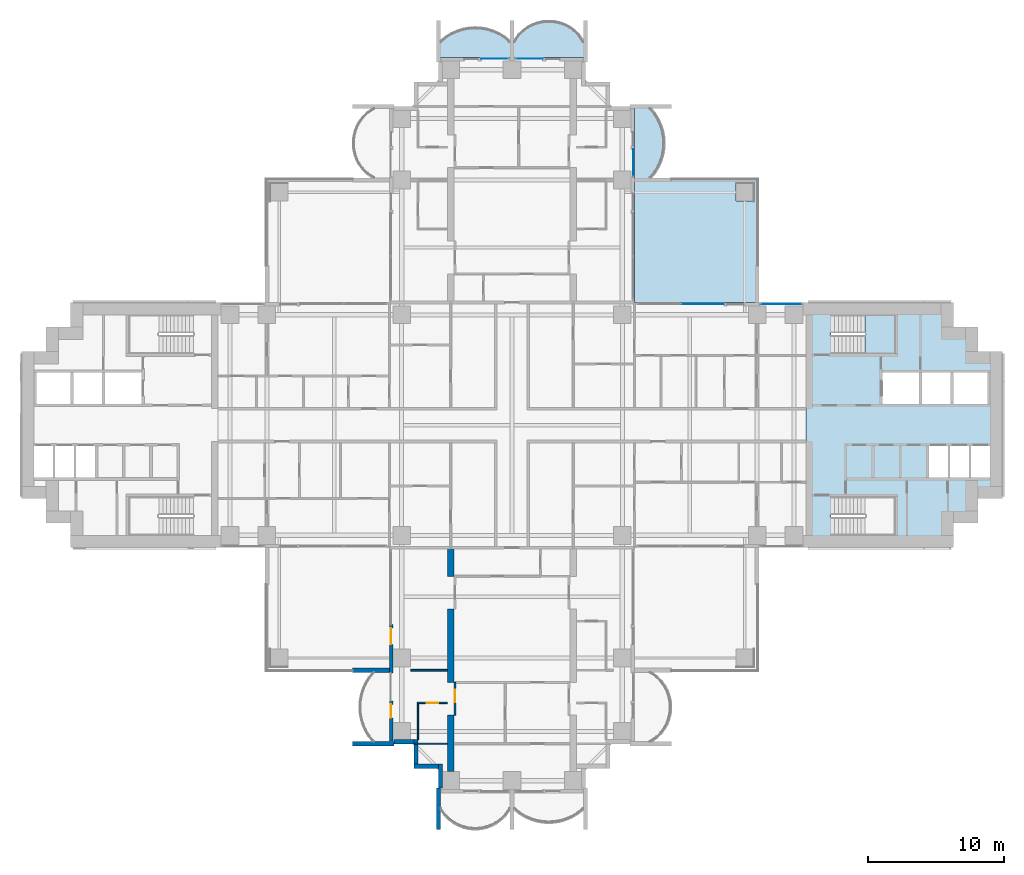
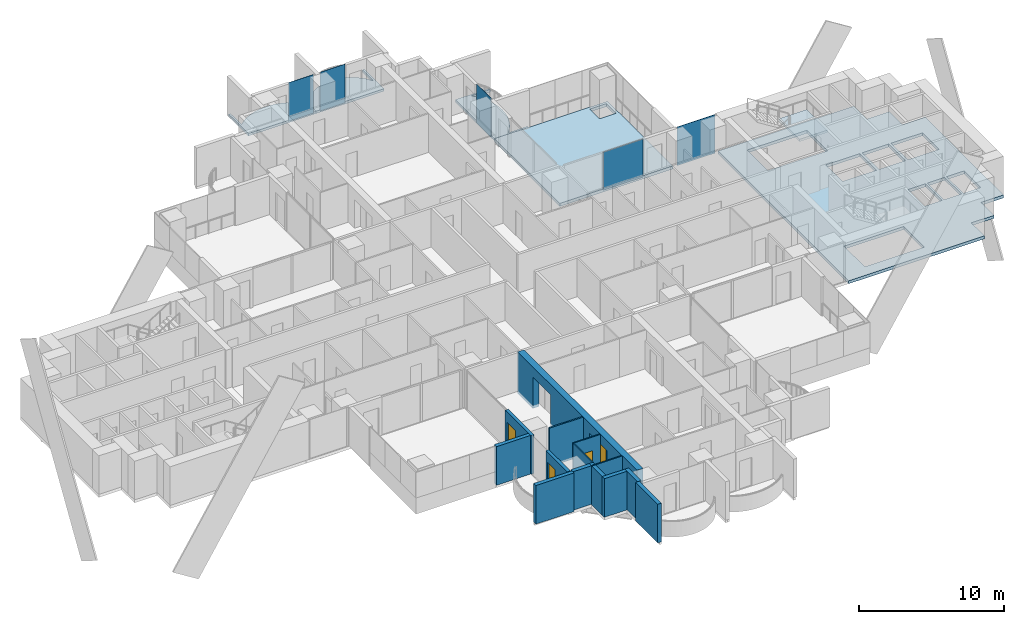
# One storey, part 10 of 23: 15 walls, 6 slabs, 5 plates, 4 doors, 4 openings, 6 elements without a shape of their own.
"""IFC4 building model written with IfcOpenShell, lengths in metres."""

from ifc_helpers import new_model, si_unit, direction, frame, frame_2d, origin, origin_2d, place, context, subcontext, project, spatial, polyline, rectangle, outline, extrude, material, layer, layer_set, material_profile, profile_set, type_object, element, fill, aggregate, save


model = new_model("IFC4")

# Units and contexts
model_context = context("Model", 3, precision=1e-05, world=origin(), true_north=direction((0.0, 1.0)))
body_context = subcontext(model_context, "Body", "Model", "MODEL_VIEW")
ifc_project = project(units=[si_unit("LENGTHUNIT", "METRE"), si_unit("AREAUNIT", "SQUARE_METRE"), si_unit("VOLUMEUNIT", "CUBIC_METRE"), si_unit("PLANEANGLEUNIT", "RADIAN"), si_unit("MASSUNIT", "GRAM", prefix="KILO")], contexts=[model_context])

# Site, building, storey
site_placement = place(None, origin())
site = spatial("IfcSite", under=ifc_project, at=site_placement, CompositionType="ELEMENT")
building_placement = place(site_placement, origin())
building = spatial("IfcBuilding", under=site, at=building_placement, Name="Perihelion Cross Residences", CompositionType="ELEMENT")
storey_placement = place(building_placement, frame((0.0, 0.0, 85.5)))
storey = spatial("IfcBuildingStorey", under=building, at=storey_placement, Name="L19", CompositionType="ELEMENT", Elevation=85.5)

# Slabs
ifc_material_1 = material(Name="Concrete C40/50", Category="concrete")
ifc_layer_1 = layer(ifc_material_1, 0.199951171875)
ifc_layer_set_1 = layer_set([ifc_layer_1], Name="Balcony slab 200")
slab_type_1 = type_object("IfcSlabType", Name="Balcony slab 200", PredefinedType="FLOOR", material=ifc_layer_set_1)
slab_1_placement = place(storey_placement, frame((0.0, 0.0, -0.199951171875)))
element("IfcSlab", 1, at=slab_1_placement, inside=storey, type_object=slab_type_1, Name="Slab BK1 L19 north side east bay 2 balcony", PredefinedType="FLOOR", context=body_context, shape_type="SweptSolid", body=[
    extrude(outline(polyline([(9.0, 18.0), (9.0, 23.39990234375), (11.699951171875, 23.39990234375), (11.699951171875, 23.25), (10.199951171875, 23.25), (10.5400390625, 22.824951171875), (10.792724609375, 22.39990234375), (10.9765625, 21.97509765625), (11.1025390625, 21.550048828125), (11.17578125, 21.125), (11.199951171875, 20.699951171875), (11.17578125, 20.27490234375), (11.1025390625, 19.85009765625), (10.9765625, 19.425048828125), (10.792724609375, 19.0), (10.5400390625, 18.574951171875), (10.199951171875, 18.14990234375), (11.699951171875, 18.14990234375), (11.699951171875, 18.0), (9.0, 18.0)])), origin(), (0.0, 0.0, 1.0), 0.199951171875),
])
slab_2_placement = place(storey_placement, frame((0.0, 0.0, -0.199951171875)))
element("IfcSlab", 2, at=slab_2_placement, inside=storey, type_object=slab_type_1, Name="Slab BK1 L19 north tip north bay 1 balcony", PredefinedType="FLOOR", context=body_context, shape_type="SweptSolid", body=[
    extrude(outline(polyline([(5.39990234375, 27.0), (0.0, 27.0), (0.0, 29.699951171875), (0.14990234375, 29.699951171875), (0.14990234375, 28.199951171875), (0.489990234375, 28.6767578125), (0.830078125, 29.007080078125), (1.169921875, 29.2490234375), (1.510009765625, 29.42724609375), (1.85009765625, 29.553466796875), (2.18994140625, 29.63427734375), (2.530029296875, 29.674072265625), (2.8701171875, 29.674072265625), (3.2099609375, 29.63427734375), (3.550048828125, 29.553466796875), (3.889892578125, 29.42724609375), (4.22998046875, 29.2490234375), (4.570068359375, 29.007080078125), (4.909912109375, 28.6767578125), (5.25, 28.199951171875), (5.25, 29.699951171875), (5.39990234375, 29.699951171875), (5.39990234375, 27.0)])), origin(), (0.0, 0.0, 1.0), 0.199951171875),
])
slab_3_placement = place(storey_placement, frame((0.0, 0.0, -0.199951171875)))
element("IfcSlab", 3, at=slab_3_placement, inside=storey, type_object=slab_type_1, Name="Slab BK1 L19 north tip north bay 2 balcony", PredefinedType="FLOOR", context=body_context, shape_type="SweptSolid", body=[
    extrude(outline(polyline([(0.0, 27.0), (-5.39990234375, 27.0), (-5.39990234375, 29.699951171875), (-5.25, 29.699951171875), (-5.25, 28.199951171875), (-4.824951171875, 28.5400390625), (-4.39990234375, 28.792724609375), (-3.97509765625, 28.9765625), (-3.550048828125, 29.1025390625), (-3.125, 29.17578125), (-2.699951171875, 29.199951171875), (-2.27490234375, 29.17578125), (-1.85009765625, 29.1025390625), (-1.425048828125, 28.9765625), (-1.0, 28.792724609375), (-0.574951171875, 28.5400390625), (-0.14990234375, 28.199951171875), (-0.14990234375, 29.699951171875), (0.0, 29.699951171875), (0.0, 27.0)])), origin(), (0.0, 0.0, 1.0), 0.199951171875),
])

# Curtain wall, plate
ifc_material_2 = material(Name="Bronze anodised aluminium, tinted glazing", Category="aluminium")
curtain_wall_type = type_object("IfcCurtainWallType", Name="CW1", PredefinedType="NOTDEFINED", material=ifc_material_2)
curtain_wall_1_placement = place(storey_placement, origin())
curtain_wall_1 = element("IfcCurtainWall", 4, at=curtain_wall_1_placement, inside=storey, type_object=curtain_wall_type, Name="Curtain wall CW1 L19 east side north bay 1", PredefinedType="NOTDEFINED")
ifc_material_3 = material(Name="Tinted laminated glass", Category="glass")
ifc_layer_2 = layer(ifc_material_3, 0.028076171875)
ifc_layer_set_2 = layer_set([ifc_layer_2], Name="CW1 panel")
plate_type = type_object("IfcPlateType", Name="CW1 panel", PredefinedType="CURTAIN_PANEL", material=ifc_layer_set_2)
plate_1_placement = place(storey_placement, frame((19.77490234375, 8.89990234375, 0.0), z_axis=(0.0, 0.0, 1.0), x_axis=(-1.0, 0.0, 0.0)))
plate_1 = element("IfcPlate", 5, at=plate_1_placement, type_object=plate_type, Name="CW1 panel 1", PredefinedType="CURTAIN_PANEL", context=body_context, shape_type="SweptSolid", body=[
    extrude(rectangle(XDim=3.030029296875, YDim=0.028076171875, at=origin_2d()), origin(), (0.0, 0.0, 1.0), 3.25),
])
aggregate(curtain_wall_1, [plate_1])

curtain_wall_2_placement = place(storey_placement, origin())
curtain_wall_2 = element("IfcCurtainWall", 6, at=curtain_wall_2_placement, inside=storey, type_object=curtain_wall_type, Name="Curtain wall CW1 L19 east side north bay 2", PredefinedType="NOTDEFINED")
plate_2_placement = place(storey_placement, frame((13.9775390625, 8.89990234375, 0.0), z_axis=(0.0, 0.0, 1.0), x_axis=(-1.0, 0.0, 0.0)))
plate_2 = element("IfcPlate", 7, at=plate_2_placement, type_object=plate_type, Name="CW1 panel 1", PredefinedType="CURTAIN_PANEL", context=body_context, shape_type="SweptSolid", body=[
    extrude(rectangle(XDim=3.14501953125, YDim=0.028076171875, at=origin_2d()), origin(), (0.0, 0.0, 1.0), 3.18994140625),
])
aggregate(curtain_wall_2, [plate_2])

curtain_wall_3_placement = place(storey_placement, origin())
curtain_wall_3 = element("IfcCurtainWall", 8, at=curtain_wall_3_placement, inside=storey, type_object=curtain_wall_type, Name="Curtain wall CW1 L19 north side east bay 2", PredefinedType="NOTDEFINED")
plate_3_placement = place(storey_placement, frame((8.89990234375, 19.2548828125, 0.0), z_axis=(0.0, 0.0, 1.0), x_axis=(0.0, 1.0, 0.0)))
plate_3 = element("IfcPlate", 9, at=plate_3_placement, type_object=plate_type, Name="CW1 panel 1", PredefinedType="CURTAIN_PANEL", context=body_context, shape_type="SweptSolid", body=[
    extrude(rectangle(XDim=1.989990234375, YDim=0.028076171875, at=origin_2d()), origin(), (0.0, 0.0, 1.0), 3.25),
])
aggregate(curtain_wall_3, [plate_3])

curtain_wall_4_placement = place(storey_placement, origin())
curtain_wall_4 = element("IfcCurtainWall", 10, at=curtain_wall_4_placement, inside=storey, type_object=curtain_wall_type, Name="Curtain wall CW1 L19 north tip north bay 1", PredefinedType="NOTDEFINED")
plate_4_placement = place(storey_placement, frame((1.2548828125, 26.89990234375, 0.0), z_axis=(0.0, 0.0, 1.0), x_axis=(-1.0, 0.0, 0.0)))
plate_4 = element("IfcPlate", 11, at=plate_4_placement, type_object=plate_type, Name="CW1 panel 1", PredefinedType="CURTAIN_PANEL", context=body_context, shape_type="SweptSolid", body=[
    extrude(rectangle(XDim=1.989990234375, YDim=0.028076171875, at=origin_2d()), origin(), (0.0, 0.0, 1.0), 3.25),
])
aggregate(curtain_wall_4, [plate_4])

curtain_wall_5_placement = place(storey_placement, origin())
curtain_wall_5 = element("IfcCurtainWall", 12, at=curtain_wall_5_placement, inside=storey, type_object=curtain_wall_type, Name="Curtain wall CW1 L19 north tip north bay 2", PredefinedType="NOTDEFINED")
plate_5_placement = place(storey_placement, frame((-1.2548828125, 26.89990234375, 0.0), z_axis=(0.0, 0.0, 1.0), x_axis=(-1.0, 0.0, 0.0)))
plate_5 = element("IfcPlate", 13, at=plate_5_placement, type_object=plate_type, Name="CW1 panel 1", PredefinedType="CURTAIN_PANEL", context=body_context, shape_type="SweptSolid", body=[
    extrude(rectangle(XDim=1.989990234375, YDim=0.028076171875, at=origin_2d()), origin(), (0.0, 0.0, 1.0), 3.25),
])
aggregate(curtain_wall_5, [plate_5])

# Slabs
ifc_material_4 = material(Name="Concrete C40/50", Category="concrete")
ifc_layer_3 = layer(ifc_material_4, 0.25)
ifc_layer_set_3 = layer_set([ifc_layer_3], Name="Core floor slab 250")
slab_type_2 = type_object("IfcSlabType", Name="Core floor slab 250", PredefinedType="FLOOR", material=ifc_layer_set_3)
slab_4_placement = place(storey_placement, frame((0.0, 0.0, -0.25)))
element("IfcSlab", 14, at=slab_4_placement, inside=storey, type_object=slab_type_2, Name="East core floor slab", PredefinedType="FLOOR", context=body_context, shape_type="SweptSolid", body=[
    extrude(outline(polyline([(32.39990234375, 7.199951171875), (34.199951171875, 7.199951171875), (34.199951171875, 5.39990234375), (36.0, 5.39990234375), (36.0, -5.39990234375), (34.199951171875, -5.39990234375), (34.199951171875, -7.199951171875), (32.39990234375, -7.199951171875), (32.39990234375, -9.0), (21.60009765625, -9.0), (21.60009765625, 9.0), (32.39990234375, 9.0), (32.39990234375, 7.199951171875)]), holes=[polyline([(23.405029296875, -8.10009765625), (28.14990234375, -8.10009765625), (28.14990234375, -5.25), (23.405029296875, -5.25), (23.405029296875, -8.10009765625)]), polyline([(30.60009765625, -1.550048828125), (30.60009765625, -3.85009765625), (32.0, -3.85009765625), (32.0, -1.550048828125), (30.60009765625, -1.550048828125)]), polyline([(32.14990234375, -1.550048828125), (32.14990234375, -3.85009765625), (33.550048828125, -3.85009765625), (33.550048828125, -1.550048828125), (32.14990234375, -1.550048828125)]), polyline([(33.699951171875, -1.550048828125), (33.699951171875, -3.85009765625), (35.10009765625, -3.85009765625), (35.10009765625, -1.550048828125), (33.699951171875, -1.550048828125)]), polyline([(27.199951171875, 3.85009765625), (27.199951171875, 1.550048828125), (29.89990234375, 1.550048828125), (29.89990234375, 3.85009765625), (27.199951171875, 3.85009765625)]), polyline([(30.10009765625, 3.85009765625), (30.10009765625, 1.550048828125), (32.199951171875, 1.550048828125), (32.199951171875, 3.85009765625), (30.10009765625, 3.85009765625)]), polyline([(32.39990234375, 3.85009765625), (32.39990234375, 1.550048828125), (34.89990234375, 1.550048828125), (34.89990234375, 3.85009765625), (32.39990234375, 3.85009765625)]), polyline([(23.405029296875, 5.25), (28.14990234375, 5.25), (28.14990234375, 8.10009765625), (23.405029296875, 8.10009765625), (23.405029296875, 5.25)])]), origin(), (0.0, 0.0, 1.0), 0.25),
])
ifc_material_5 = material(Name="Concrete C40/50", Category="concrete")
ifc_layer_4 = layer(ifc_material_5, 0.25)
ifc_layer_set_4 = layer_set([ifc_layer_4], Name="Corner terrace slab")
slab_type_3 = type_object("IfcSlabType", Name="Corner terrace slab", PredefinedType="FLOOR", material=ifc_layer_set_4)
slab_5_placement = place(storey_placement, frame((0.0, 0.0, -0.25)))
element("IfcSlab", 15, at=slab_5_placement, inside=storey, type_object=slab_type_3, Name="Slab BK2 L19 pocket north-east", PredefinedType="FLOOR", context=body_context, shape_type="SweptSolid", body=[
    extrude(outline(polyline([(18.0, 9.0), (18.0, 18.0), (9.0, 18.0), (9.0, 9.0), (18.0, 9.0)]), holes=[polyline([(16.449951171875, 16.449951171875), (16.449951171875, 17.7900390625), (17.7900390625, 17.7900390625), (17.7900390625, 16.409912109375), (17.75, 16.409912109375), (17.75, 16.449951171875), (16.449951171875, 16.449951171875)])]), origin(), (0.0, 0.0, 1.0), 0.25),
])

# Stair, slab
ifc_material_6 = material(Name="Concrete C40/50", Category="concrete")
stair_type = type_object("IfcStairType", Name="Exit stair, half-turn", PredefinedType="HALF_TURN_STAIR", material=ifc_material_6)
stair_placement = place(storey_placement, origin())
stair = element("IfcStair", 16, at=stair_placement, inside=storey, type_object=stair_type, Name="L19 East core exit stair 1", PredefinedType="HALF_TURN_STAIR")
ifc_material_7 = material(Name="Concrete C40/50", Category="concrete")
ifc_layer_5 = layer(ifc_material_7, 0.199951171875)
ifc_layer_set_5 = layer_set([ifc_layer_5], Name="Exit stair landing 200")
slab_type_4 = type_object("IfcSlabType", Name="Exit stair landing 200", PredefinedType="LANDING", material=ifc_layer_set_5)
slab_6_placement = place(storey_placement, frame((0.0, 0.0, 1.550048828125)))
slab_6 = element("IfcSlab", 17, at=slab_6_placement, type_object=slab_type_4, Name="ST-E1 landing 1", PredefinedType="LANDING", context=body_context, shape_type="SweptSolid", body=[
    extrude(outline(polyline([(25.919921875, 5.25), (28.14990234375, 5.25), (28.14990234375, 8.10009765625), (25.919921875, 8.10009765625), (25.919921875, 5.25)])), origin(), (0.0, 0.0, 1.0), 0.199951171875),
])
aggregate(stair, [slab_6])

# Wall, opening, door
ifc_material_8 = material(Name="Concrete C30/37, bronze-clad", Category="concrete")
ifc_layer_6 = layer(ifc_material_8, 0.25)
ifc_layer_set_6 = layer_set([ifc_layer_6], Name="Bronze-clad pier wall 250")
wall_type_1 = type_object("IfcWallType", Name="Bronze-clad pier wall 250", PredefinedType="SOLIDWALL", material=ifc_layer_set_6)
wall_1_placement = place(storey_placement, frame((-8.875, -14.64990234375, 0.0), z_axis=(0.0, 0.0, 1.0), x_axis=(0.0, -1.0, 0.0)))
wall_1 = element("IfcWall", 18, at=wall_1_placement, inside=storey, type_object=wall_type_1, Name="Wall FW1 L19 south side west bay 1 pier", PredefinedType="SOLIDWALL", context=body_context, shape_type="SweptSolid", body=[
    extrude(rectangle(XDim=3.550048828125, YDim=0.25, at=frame_2d((1.77490234375, 0.0))), origin(), (0.0, 0.0, 1.0), 3.25),
])
opening_1_placement = place(wall_1_placement, frame((0.25, 0.0, 0.0)))
opening_1 = element("IfcOpeningElement", 19, at=opening_1_placement, cuts=wall_1, Name="Opening L19.E10", PredefinedType="OPENING", context=body_context, shape_type="SweptSolid", body=[
    extrude(rectangle(XDim=1.199951171875, YDim=2.39990234375, at=frame_2d((0.60009765625, 1.199951171875))), frame((0.0, 0.135009765625, 0.0), z_axis=(0.0, -1.0, 0.0), x_axis=(1.0, 0.0, 0.0)), (0.0, 0.0, 1.0), 0.27001953125),
])
ifc_material_9 = material(Name="Bronze anodised aluminium, glazed", Category="aluminium")
door_type_1 = type_object("IfcDoorType", Name="Balcony door 1200 x 2400", OperationType="NOTDEFINED", PredefinedType="DOOR", material=ifc_material_9)
door_1_placement = place(opening_1_placement, origin())
door_1 = element("IfcDoor", 20, at=door_1_placement, inside=storey, type_object=door_type_1, Name="Door L19.E10 south side west bay 1", OperationType="SINGLE_SWING_LEFT", OverallHeight=2.39990234375, OverallWidth=1.199951171875, PredefinedType="DOOR", context=body_context, shape_type="SweptSolid", body=[
    extrude(rectangle(XDim=1.199951171875, YDim=2.39990234375, at=frame_2d((0.60009765625, 1.199951171875))), frame((0.0, 0.02490234375, 0.0), z_axis=(0.0, -1.0, 0.0), x_axis=(1.0, 0.0, 0.0)), (0.0, 0.0, 1.0), 0.050048828125),
])
fill(opening_1, door_1)

wall_2_placement = place(storey_placement, frame((-8.875, -20.25, 0.0), z_axis=(0.0, 0.0, 1.0), x_axis=(0.0, -1.0, 0.0)))
wall_2 = element("IfcWall", 21, at=wall_2_placement, inside=storey, type_object=wall_type_1, Name="Wall FW1 L19 south side west bay 2 pier", PredefinedType="SOLIDWALL", context=body_context, shape_type="SweptSolid", body=[
    extrude(rectangle(XDim=2.949951171875, YDim=0.25, at=frame_2d((1.47509765625, 0.0))), origin(), (0.0, 0.0, 1.0), 3.25),
])
opening_2_placement = place(wall_2_placement, frame((0.25, 0.0, 0.0)))
opening_2 = element("IfcOpeningElement", 22, at=opening_2_placement, cuts=wall_2, Name="Opening L19.E11", PredefinedType="OPENING", context=body_context, shape_type="SweptSolid", body=[
    extrude(rectangle(XDim=1.0, YDim=2.39990234375, at=frame_2d((0.5, 1.199951171875))), frame((0.0, 0.135009765625, 0.0), z_axis=(0.0, -1.0, 0.0), x_axis=(1.0, 0.0, 0.0)), (0.0, 0.0, 1.0), 0.27001953125),
])
ifc_material_10 = material(Name="Bronze anodised aluminium, glazed", Category="aluminium")
door_type_2 = type_object("IfcDoorType", Name="Balcony door 1000 x 2400", OperationType="NOTDEFINED", PredefinedType="DOOR", material=ifc_material_10)
door_2_placement = place(opening_2_placement, origin())
door_2 = element("IfcDoor", 23, at=door_2_placement, inside=storey, type_object=door_type_2, Name="Door L19.E11 south side west bay 2", OperationType="SINGLE_SWING_RIGHT", OverallHeight=2.39990234375, OverallWidth=1.0, PredefinedType="DOOR", context=body_context, shape_type="SweptSolid", body=[
    extrude(rectangle(XDim=1.0, YDim=2.39990234375, at=frame_2d((0.5, 1.199951171875))), frame((0.0, 0.02490234375, 0.0), z_axis=(0.0, -1.0, 0.0), x_axis=(1.0, 0.0, 0.0)), (0.0, 0.0, 1.0), 0.050048828125),
])
fill(opening_2, door_2)

# Walls
ifc_material_11 = material(Name="Concrete C30/37, bronze-clad", Category="concrete")
ifc_layer_7 = layer(ifc_material_11, 0.300048828125)
ifc_layer_set_7 = layer_set([ifc_layer_7], Name="Bronze-clad serration wall 300")
wall_type_2 = type_object("IfcWallType", Name="Bronze-clad serration wall 300", PredefinedType="SOLIDWALL", material=ifc_layer_set_7)
wall_3_placement = place(storey_placement, frame((-8.64990234375, -23.25, 0.0), z_axis=(0.0, 0.0, 1.0), x_axis=(1.0, 0.0, 0.0)))
element("IfcWall", 24, at=wall_3_placement, inside=storey, type_object=wall_type_2, Name="Wall SR1 L19 south corner south-west 1", PredefinedType="SOLIDWALL", context=body_context, shape_type="SweptSolid", body=[
    extrude(rectangle(XDim=1.449951171875, YDim=0.300048828125, at=frame_2d((0.72509765625, 0.0))), origin(), (0.0, 0.0, 1.0), 3.25),
])
wall_4_placement = place(storey_placement, frame((-7.050048828125, -23.10009765625, 0.0), z_axis=(0.0, 0.0, 1.0), x_axis=(0.0, -1.0, 0.0)))
element("IfcWall", 25, at=wall_4_placement, inside=storey, type_object=wall_type_2, Name="Wall SR1 L19 south corner south-west 2", PredefinedType="SOLIDWALL", context=body_context, shape_type="SweptSolid", body=[
    extrude(rectangle(XDim=1.7998046875, YDim=0.300048828125, at=frame_2d((0.89990234375, 0.0))), origin(), (0.0, 0.0, 1.0), 3.25),
])
wall_5_placement = place(storey_placement, frame((-7.199951171875, -25.050048828125, 0.0), z_axis=(0.0, 0.0, 1.0), x_axis=(1.0, 0.0, 0.0)))
element("IfcWall", 26, at=wall_5_placement, inside=storey, type_object=wall_type_2, Name="Wall SR1 L19 south corner south-west 3", PredefinedType="SOLIDWALL", context=body_context, shape_type="SweptSolid", body=[
    extrude(rectangle(XDim=1.800048828125, YDim=0.300048828125, at=frame_2d((0.89990234375, 0.0))), origin(), (0.0, 0.0, 1.0), 3.25),
])
wall_6_placement = place(storey_placement, frame((-5.25, -24.89990234375, 0.0), z_axis=(0.0, 0.0, 1.0), x_axis=(0.0, -1.0, 0.0)))
element("IfcWall", 27, at=wall_6_placement, inside=storey, type_object=wall_type_2, Name="Wall SR1 L19 south corner south-west 4", PredefinedType="SOLIDWALL", context=body_context, shape_type="SweptSolid", body=[
    extrude(rectangle(XDim=1.75, YDim=0.300048828125, at=frame_2d((0.875, 0.0))), origin(), (0.0, 0.0, 1.0), 3.25),
])

# Wall, opening, door
ifc_material_12 = material(Name="Plasterboard partition")
ifc_layer_8 = layer(ifc_material_12, 0.1201171875)
ifc_layer_set_8 = layer_set([ifc_layer_8], Name="Infill panel 120")
wall_type_3 = type_object("IfcWallType", Name="Infill panel 120", PredefinedType="PARTITIONING", material=ifc_layer_set_8)
wall_7_placement = place(storey_placement, frame((-4.18994140625, -18.89990234375, 0.0), z_axis=(0.0, 0.0, 1.0), x_axis=(0.0, -1.0, 0.0)))
wall_7 = element("IfcWall", 28, at=wall_7_placement, inside=storey, type_object=wall_type_3, Name="Partition L19 WI08", PredefinedType="PARTITIONING", context=body_context, shape_type="SweptSolid", body=[
    extrude(rectangle(XDim=2.400146484375, YDim=0.1201171875, at=frame_2d((1.2001953125, 0.0))), origin(), (0.0, 0.0, 1.0), 2.39990234375),
])
opening_3_placement = place(wall_7_placement, frame((0.550048828125, 0.0, 0.0)))
opening_3 = element("IfcOpeningElement", 29, at=opening_3_placement, cuts=wall_7, Name="Opening L19.A64", PredefinedType="OPENING", context=body_context, shape_type="SweptSolid", body=[
    extrude(rectangle(XDim=0.89990234375, YDim=2.10009765625, at=frame_2d((0.449951171875, 1.050048828125))), frame((0.0, 0.070068359375, 0.0), z_axis=(0.0, -1.0, 0.0), x_axis=(1.0, 0.0, 0.0)), (0.0, 0.0, 1.0), 0.14013671875),
])
ifc_material_13 = material(Name="Timber door leaf", Category="wood")
door_type_3 = type_object("IfcDoorType", Name="Interior room door 900 x 2100", OperationType="SINGLE_SWING_LEFT", PredefinedType="DOOR", material=ifc_material_13)
door_3_placement = place(opening_3_placement, origin())
door_3 = element("IfcDoor", 30, at=door_3_placement, inside=storey, type_object=door_type_3, Name="Door L19.A64", OperationType="SINGLE_SWING_RIGHT", OverallHeight=2.10009765625, OverallWidth=0.89990234375, PredefinedType="DOOR", context=body_context, shape_type="SweptSolid", body=[
    extrude(rectangle(XDim=0.89990234375, YDim=2.10009765625, at=frame_2d((0.449951171875, 1.050048828125))), frame((0.0, 0.02490234375, 0.0), z_axis=(0.0, -1.0, 0.0), x_axis=(1.0, 0.0, 0.0)), (0.0, 0.0, 1.0), 0.050048828125),
])
fill(opening_3, door_3)

# Walls
ifc_material_14 = material(Name="Plasterboard partition")
ifc_layer_9 = layer(ifc_material_14, 0.1201171875)
ifc_layer_set_9 = layer_set([ifc_layer_9], Name="Partition wall 120")
wall_type_4 = type_object("IfcWallType", Name="Partition wall 120", PredefinedType="PARTITIONING", material=ifc_layer_set_9)
wall_8_placement = place(storey_placement, frame((-4.75, -18.0, 0.0), z_axis=(0.0, 0.0, 1.0), x_axis=(-1.0, 0.0, 0.0)))
element("IfcWall", 31, at=wall_8_placement, inside=storey, type_object=wall_type_4, Name="Partition L19 W082", PredefinedType="PARTITIONING", context=body_context, shape_type="SweptSolid", body=[
    extrude(rectangle(XDim=2.699951171875, YDim=0.1201171875, at=frame_2d((1.35009765625, 0.0))), origin(), (0.0, 0.0, 1.0), 3.25),
])
ifc_material_15 = material(Name="Precast concrete C50/60", Category="concrete")
ifc_layer_10 = layer(ifc_material_15, 0.300048828125)
ifc_layer_set_10 = layer_set([ifc_layer_10], Name="Precast concrete C50/60 blade wall 300")
wall_type_5 = type_object("IfcWallType", Name="Precast concrete C50/60 blade wall 300", PredefinedType="SOLIDWALL", material=ifc_layer_set_10)
wall_9_placement = place(storey_placement, frame((-8.64990234375, -23.39990234375, 0.0), z_axis=(0.0, 0.0, 1.0), x_axis=(-1.0, 0.0, 0.0)))
element("IfcWall", 32, at=wall_9_placement, inside=storey, type_object=wall_type_5, Name="Wall BL1 L19 no. 6", PredefinedType="SOLIDWALL", context=body_context, shape_type="SweptSolid", body=[
    extrude(rectangle(XDim=3.050048828125, YDim=0.300048828125, at=frame_2d((1.52490234375, 0.0))), origin(), (0.0, 0.0, 1.0), 3.25),
])
wall_10_placement = place(storey_placement, frame((-9.0, -18.0, 0.0), z_axis=(0.0, 0.0, 1.0), x_axis=(-1.0, 0.0, 0.0)))
element("IfcWall", 33, at=wall_10_placement, inside=storey, type_object=wall_type_5, Name="Wall BL1 L19 no. 5", PredefinedType="SOLIDWALL", context=body_context, shape_type="SweptSolid", body=[
    extrude(rectangle(XDim=2.699951171875, YDim=0.300048828125, at=frame_2d((1.35009765625, 0.0))), origin(), (0.0, 0.0, 1.0), 3.25),
])
wall_11_placement = place(storey_placement, frame((-5.39990234375, -26.64990234375, 0.0), z_axis=(0.0, 0.0, 1.0), x_axis=(0.0, -1.0, 0.0)))
element("IfcWall", 34, at=wall_11_placement, inside=storey, type_object=wall_type_5, Name="Wall BL1 L19 no. 3", PredefinedType="SOLIDWALL", context=body_context, shape_type="SweptSolid", body=[
    extrude(rectangle(XDim=3.050048828125, YDim=0.300048828125, at=frame_2d((1.52490234375, 0.0))), origin(), (0.0, 0.0, 1.0), 3.25),
])
ifc_material_16 = material(Name="Concrete C60/75", Category="concrete")
ifc_material_profile = material_profile(ifc_material_16, outline(polyline([(0.0, 0.0), (4.14990234375, 0.0), (4.14990234375, 2.64990234375), (6.550048828125, 2.64990234375), (6.550048828125, 0.0), (11.949951171875, 0.0), (11.949951171875, 2.64990234375), (14.35009765625, 2.64990234375), (14.35009765625, 0.0), (16.449951171875, 0.0), (16.449951171875, 3.5), (0.0, 3.5), (0.0, 0.0)])), Name="Tip spine wall")
ifc_profile_set = profile_set([ifc_material_profile], Name="Concrete C60/75")
wall_type_6 = type_object("IfcWallType", Name="Tip spine wall 500 with 2 door openings 16450 long 3500 high concrete C60/75 hand A", PredefinedType="SHEAR", material=ifc_profile_set)
wall_12_placement = place(storey_placement, frame((-4.75, -25.449951171875, -0.25), z_axis=(1.0, 0.0, 0.0), x_axis=(0.0, 1.0, 0.0)))
element("IfcWall", 35, at=wall_12_placement, inside=storey, type_object=wall_type_6, Name="Shear wall SW24 L19 south west", PredefinedType="SHEAR", context=body_context, shape_type="SweptSolid", body=[
    extrude(outline(polyline([(0.0, 0.0), (4.14990234375, 0.0), (4.14990234375, 2.64990234375), (6.550048828125, 2.64990234375), (6.550048828125, 0.0), (11.949951171875, 0.0), (11.949951171875, 2.64990234375), (14.35009765625, 2.64990234375), (14.35009765625, 0.0), (16.449951171875, 0.0), (16.449951171875, 3.5), (0.0, 3.5), (0.0, 0.0)])), origin(), (0.0, 0.0, 1.0), 0.5),
])

# Wall, opening, door
ifc_material_17 = material(Name="Plasterboard partition")
ifc_layer_11 = layer(ifc_material_17, 0.10009765625)
ifc_layer_set_11 = layer_set([ifc_layer_11], Name="Wet room wall 100")
wall_type_7 = type_object("IfcWallType", Name="Wet room wall 100", PredefinedType="PARTITIONING", material=ifc_layer_set_11)
wall_13_placement = place(storey_placement, frame((-4.75, -20.39990234375, 0.0), z_axis=(0.0, 0.0, 1.0), x_axis=(-1.0, 0.0, 0.0)))
wall_13 = element("IfcWall", 36, at=wall_13_placement, inside=storey, type_object=wall_type_7, Name="Partition L19 W083", PredefinedType="PARTITIONING", context=body_context, shape_type="SweptSolid", body=[
    extrude(rectangle(XDim=2.199951171875, YDim=0.10009765625, at=frame_2d((1.10009765625, 0.0))), origin(), (0.0, 0.0, 1.0), 3.25),
])
opening_4_placement = place(wall_13_placement, frame((0.64990234375, 0.0, 0.0)))
opening_4 = element("IfcOpeningElement", 37, at=opening_4_placement, cuts=wall_13, Name="Opening L19.A52", PredefinedType="OPENING", context=body_context, shape_type="SweptSolid", body=[
    extrude(rectangle(XDim=0.85009765625, YDim=2.10009765625, at=frame_2d((0.425048828125, 1.050048828125))), frame((0.0, 0.06005859375, 0.0), z_axis=(0.0, -1.0, 0.0), x_axis=(1.0, 0.0, 0.0)), (0.0, 0.0, 1.0), 0.1201171875),
])
ifc_material_18 = material(Name="Timber door leaf", Category="wood")
door_type_4 = type_object("IfcDoorType", Name="Interior bathroom door 850 x 2100", OperationType="SINGLE_SWING_LEFT", PredefinedType="DOOR", material=ifc_material_18)
door_4_placement = place(opening_4_placement, origin())
door_4 = element("IfcDoor", 38, at=door_4_placement, inside=storey, type_object=door_type_4, Name="Door L19.A52", OperationType="SINGLE_SWING_RIGHT", OverallHeight=2.10009765625, OverallWidth=0.85009765625, PredefinedType="DOOR", context=body_context, shape_type="SweptSolid", body=[
    extrude(rectangle(XDim=0.85009765625, YDim=2.10009765625, at=frame_2d((0.425048828125, 1.050048828125))), frame((0.0, 0.02490234375, 0.0), z_axis=(0.0, -1.0, 0.0), x_axis=(1.0, 0.0, 0.0)), (0.0, 0.0, 1.0), 0.050048828125),
])
fill(opening_4, door_4)

# Walls
wall_14_placement = place(storey_placement, frame((-6.89990234375, -20.449951171875, 0.0), z_axis=(0.0, 0.0, 1.0), x_axis=(0.0, -1.0, 0.0)))
element("IfcWall", 39, at=wall_14_placement, inside=storey, type_object=wall_type_7, Name="Partition L19 W084", PredefinedType="PARTITIONING", context=body_context, shape_type="SweptSolid", body=[
    extrude(rectangle(XDim=2.650146484375, YDim=0.10009765625, at=frame_2d((1.3251953125, 0.0))), origin(), (0.0, 0.0, 1.0), 3.25),
])
wall_15_placement = place(storey_placement, frame((-4.75, -23.39990234375, 0.0), z_axis=(0.0, 0.0, 1.0), x_axis=(-1.0, 0.0, 0.0)))
element("IfcWall", 40, at=wall_15_placement, inside=storey, type_object=wall_type_7, Name="Partition L19 W085", PredefinedType="PARTITIONING", context=body_context, shape_type="SweptSolid", body=[
    extrude(rectangle(XDim=2.3701171875, YDim=0.10009765625, at=frame_2d((1.18505859375, 0.0))), origin(), (0.0, 0.0, 1.0), 3.25),
])

save(model, "model.ifc")
